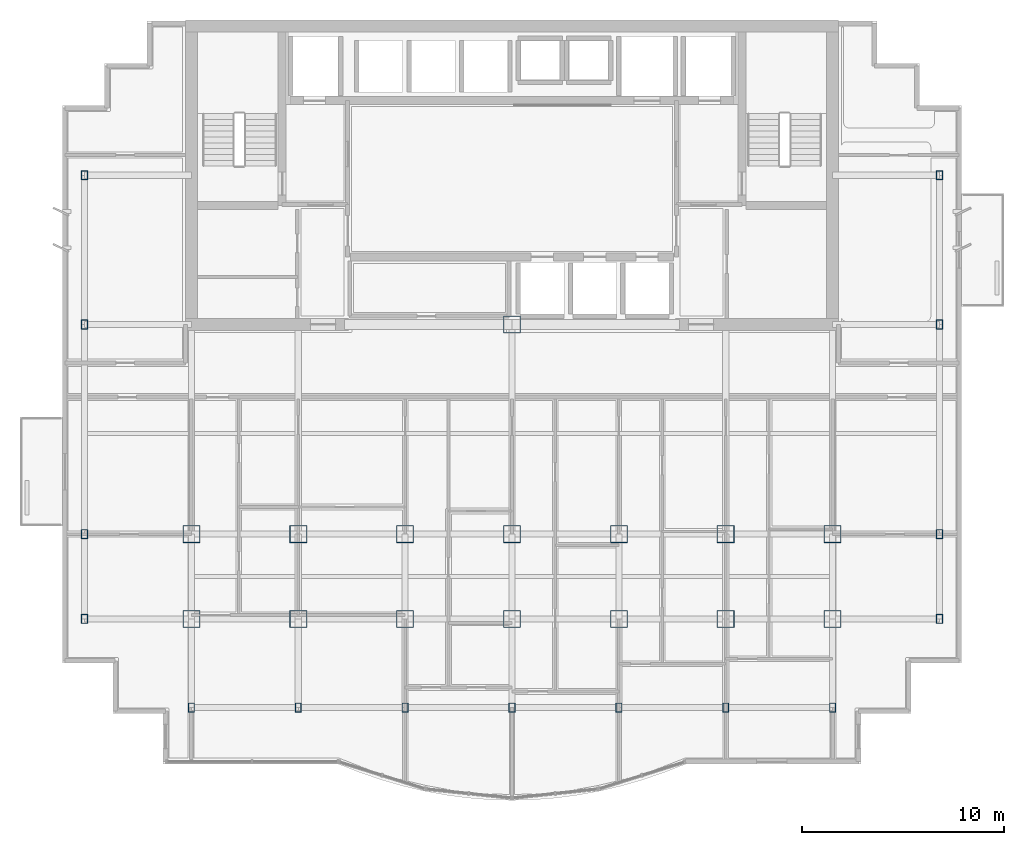
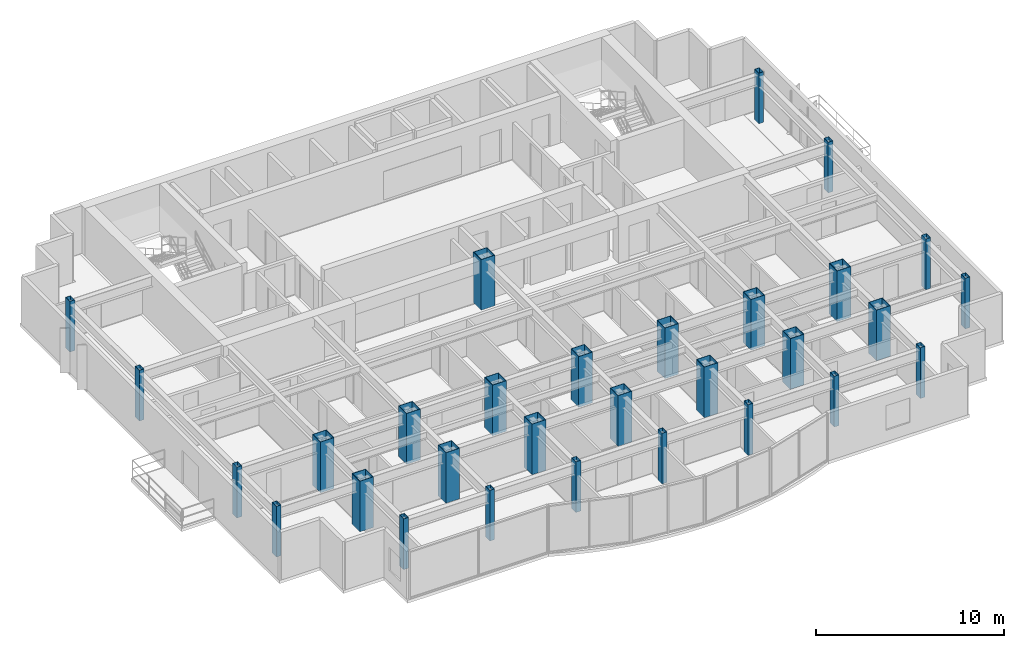
# One storey, part 1 of 11: 30 columns.
"""IFC4 building model written with IfcOpenShell, lengths in metres."""

from ifc_helpers import new_model, si_unit, direction, frame, origin, origin_2d, place, context, subcontext, project, spatial, hollow_rectangle, extrude, material, material_profile, profile_set, type_object, element, save


model = new_model("IFC4")

# Units and contexts
model_context = context("Model", 3, precision=1e-05, world=origin(), true_north=direction((0.0, 1.0)))
body_context = subcontext(model_context, "Body", "Model", "MODEL_VIEW")
ifc_project = project(units=[si_unit("LENGTHUNIT", "METRE"), si_unit("AREAUNIT", "SQUARE_METRE"), si_unit("VOLUMEUNIT", "CUBIC_METRE"), si_unit("PLANEANGLEUNIT", "RADIAN"), si_unit("MASSUNIT", "GRAM", prefix="KILO")], contexts=[model_context])

# Site, building, storey
site_placement = place(None, origin())
site = spatial("IfcSite", under=ifc_project, at=site_placement, CompositionType="ELEMENT")
building_placement = place(site_placement, origin())
building = spatial("IfcBuilding", under=site, at=building_placement, Name="Qianlan Lanfeng Residences", CompositionType="ELEMENT")
storey_placement = place(building_placement, frame((0.0, 0.0, 175.5)))
storey = spatial("IfcBuildingStorey", under=building, at=storey_placement, Name="L48", CompositionType="ELEMENT", Elevation=175.5)

# Columns
ifc_material = material(Name="Steel SN490B", Category="steel")
ifc_material_profile_1 = material_profile(ifc_material, hollow_rectangle(XDim=0.85009765625, YDim=0.85009765625, WallThickness=0.028076171875, at=origin_2d()), Name="BOX 850x850x28")
ifc_profile_set_1 = profile_set([ifc_material_profile_1], Name="Steel SN490B")
column_type_1 = type_object("IfcColumnType", Name="C-B900", PredefinedType="COLUMN", material=ifc_profile_set_1)
for number, where, z_axis, x_axis, name in (
    (1, (26.5, 25.199951171875, 0.0), (0.0, 0.0, 1.0), (1.0, 0.0, 0.0), "L48 Structural Column CP_26.5_25.2"),
    (2, (10.60009765625, 14.800048828125, 0.0), (0.0, 0.0, 1.0), (1.0, 0.0, 0.0), "L48 Structural Column M_10.60_14.80"),
    (3, (10.60009765625, 10.60009765625, 0.0), (0.0, 0.0, 1.0), (1.0, 0.0, 0.0), "L48 Structural Column G_10.60_10.60"),
    (4, (15.89990234375, 14.800048828125, 0.0), (0.0, 0.0, 1.0), (1.0, 0.0, 0.0), "L48 Structural Column M_15.90_14.80"),
    (5, (15.89990234375, 10.60009765625, 0.0), (0.0, 0.0, 1.0), (1.0, 0.0, 0.0), "L48 Structural Column G_15.90_10.60"),
    (6, (21.199951171875, 14.800048828125, 0.0), (0.0, 0.0, 1.0), (1.0, 0.0, 0.0), "L48 Structural Column M_21.20_14.80"),
    (7, (21.199951171875, 10.60009765625, 0.0), (0.0, 0.0, 1.0), (1.0, 0.0, 0.0), "L48 Structural Column G_21.20_10.60"),
    (8, (26.5, 14.800048828125, 0.0), (0.0, 0.0, 1.0), (1.0, 0.0, 0.0), "L48 Structural Column M_26.50_14.80"),
    (9, (26.5, 10.60009765625, 0.0), (0.0, 0.0, 1.0), (1.0, 0.0, 0.0), "L48 Structural Column G_26.50_10.60"),
    (10, (31.800048828125, 14.800048828125, 0.0), (0.0, 0.0, 1.0), (1.0, 0.0, 0.0), "L48 Structural Column M_31.80_14.80"),
    (11, (31.800048828125, 10.60009765625, 0.0), (0.0, 0.0, 1.0), (1.0, 0.0, 0.0), "L48 Structural Column G_31.80_10.60"),
    (12, (37.10009765625, 14.800048828125, 0.0), (0.0, 0.0, 1.0), (1.0, 0.0, 0.0), "L48 Structural Column M_37.10_14.80"),
    (13, (37.10009765625, 10.60009765625, 0.0), (0.0, 0.0, 1.0), (1.0, 0.0, 0.0), "L48 Structural Column G_37.10_10.60"),
    (14, (42.39990234375, 14.800048828125, 0.0), (0.0, 0.0, 1.0), (1.0, 0.0, 0.0), "L48 Structural Column M_42.40_14.80"),
    (15, (42.39990234375, 10.60009765625, 0.0), (0.0, 0.0, 1.0), (1.0, 0.0, 0.0), "L48 Structural Column G_42.40_10.60"),
):
    element("IfcColumn", number, at=place(storey_placement, frame(where, z_axis=z_axis, x_axis=x_axis)), inside=storey, type_object=column_type_1, Name=name, PredefinedType="COLUMN", context=body_context, shape_type="SweptSolid", body=[
        extrude(hollow_rectangle(XDim=0.85009765625, YDim=0.85009765625, WallThickness=0.028076171875, at=origin_2d()), origin(), (0.0, 0.0, 1.0), 3.300048828125),
    ])
ifc_material_profile_2 = material_profile(ifc_material, hollow_rectangle(XDim=0.300048828125, YDim=0.449951171875, WallThickness=0.01611328125, at=origin_2d()), Name="RHS 450x300x16")
ifc_profile_set_2 = profile_set([ifc_material_profile_2], Name="Steel SN490B")
column_type_2 = type_object("IfcColumnType", Name="CE-B950", PredefinedType="COLUMN", material=ifc_profile_set_2)
for number, where, z_axis, x_axis, name in (
    (16, (10.60009765625, 6.199951171875, 0.0), (0.0, 0.0, 1.0), (1.0, 0.0, 0.0), "L48 Structural Column S_10.60_6.20"),
    (17, (15.89990234375, 6.199951171875, 0.0), (0.0, 0.0, 1.0), (1.0, 0.0, 0.0), "L48 Structural Column S_15.90_6.20"),
    (18, (21.199951171875, 6.199951171875, 0.0), (0.0, 0.0, 1.0), (1.0, 0.0, 0.0), "L48 Structural Column S_21.20_6.20"),
    (19, (26.5, 6.199951171875, 0.0), (0.0, 0.0, 1.0), (1.0, 0.0, 0.0), "L48 Structural Column S_26.50_6.20"),
    (20, (31.800048828125, 6.199951171875, 0.0), (0.0, 0.0, 1.0), (1.0, 0.0, 0.0), "L48 Structural Column S_31.80_6.20"),
    (21, (37.10009765625, 6.199951171875, 0.0), (0.0, 0.0, 1.0), (1.0, 0.0, 0.0), "L48 Structural Column S_37.10_6.20"),
    (22, (42.39990234375, 6.199951171875, 0.0), (0.0, 0.0, 1.0), (1.0, 0.0, 0.0), "L48 Structural Column S_42.40_6.20"),
    (23, (5.300048828125, 10.60009765625, 0.0), (0.0, 0.0, 1.0), (1.0, 0.0, 0.0), "L48 Structural Column W_5.30_10.60"),
    (24, (5.300048828125, 14.800048828125, 0.0), (0.0, 0.0, 1.0), (1.0, 0.0, 0.0), "L48 Structural Column W_5.30_14.80"),
    (25, (5.300048828125, 25.199951171875, 0.0), (0.0, 0.0, 1.0), (1.0, 0.0, 0.0), "L48 Structural Column W_5.30_25.20"),
    (26, (5.300048828125, 32.60009765625, 0.0), (0.0, 0.0, 1.0), (1.0, 0.0, 0.0), "L48 Structural Column W_5.30_32.60"),
    (27, (47.699951171875, 10.60009765625, 0.0), (0.0, 0.0, 1.0), (1.0, 0.0, 0.0), "L48 Structural Column W_47.70_10.60"),
    (28, (47.699951171875, 14.800048828125, 0.0), (0.0, 0.0, 1.0), (1.0, 0.0, 0.0), "L48 Structural Column W_47.70_14.80"),
    (29, (47.699951171875, 25.199951171875, 0.0), (0.0, 0.0, 1.0), (1.0, 0.0, 0.0), "L48 Structural Column W_47.70_25.20"),
    (30, (47.699951171875, 32.60009765625, 0.0), (0.0, 0.0, 1.0), (1.0, 0.0, 0.0), "L48 Structural Column W_47.70_32.60"),
):
    element("IfcColumn", number, at=place(storey_placement, frame(where, z_axis=z_axis, x_axis=x_axis)), inside=storey, type_object=column_type_2, Name=name, PredefinedType="COLUMN", context=body_context, shape_type="SweptSolid", body=[
        extrude(hollow_rectangle(XDim=0.300048828125, YDim=0.449951171875, WallThickness=0.01611328125, at=origin_2d()), origin(), (0.0, 0.0, 1.0), 3.300048828125),
    ])

save(model, "model.ifc")
